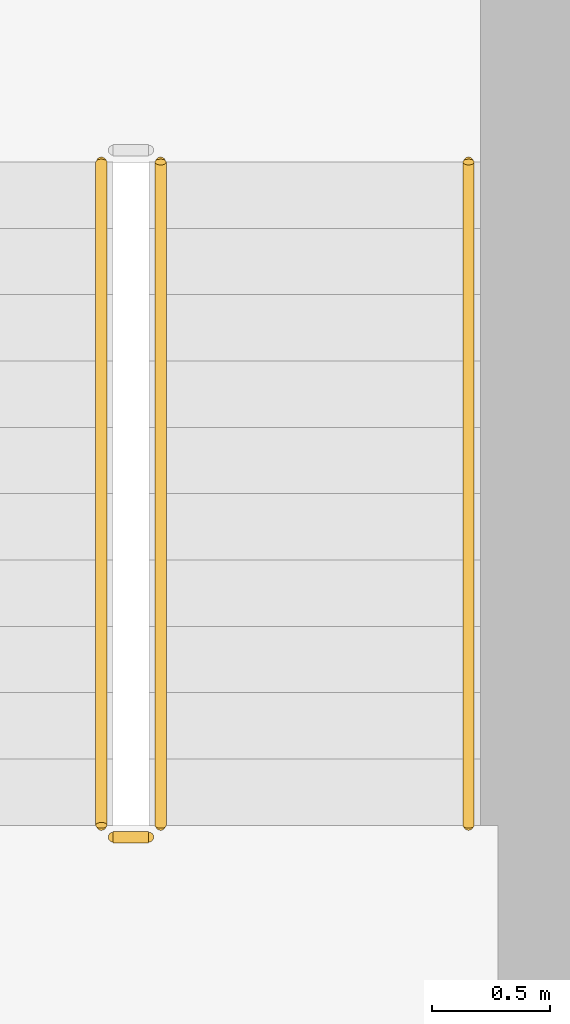
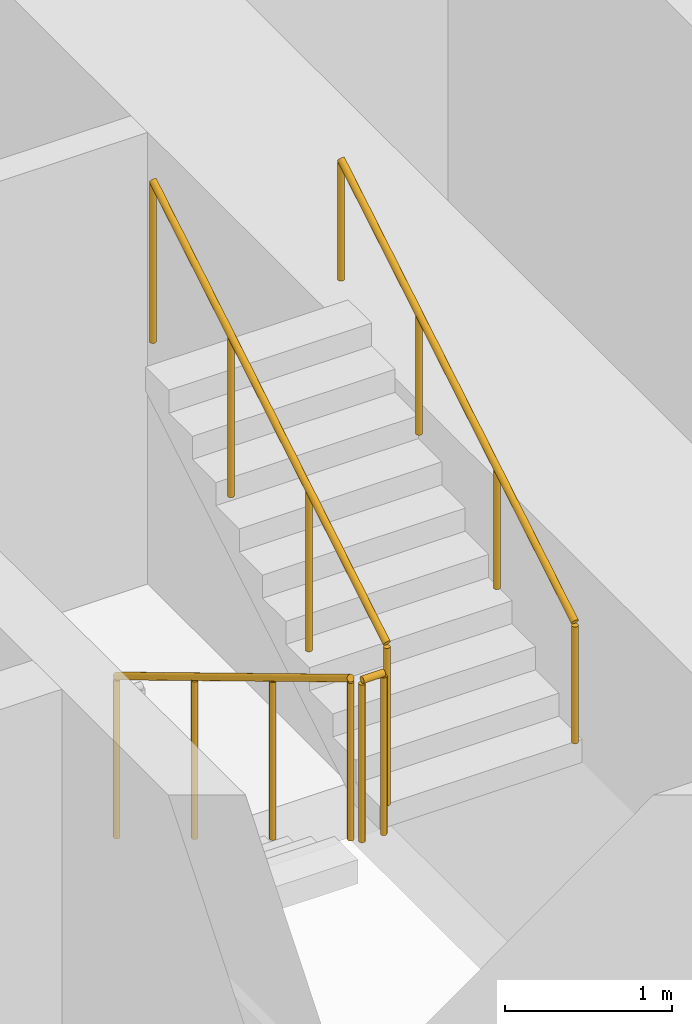
# One storey, part 22 of 26: 4 railings.
"""IFC4 building model written with IfcOpenShell, lengths in metres."""

from ifc_helpers import new_model, si_unit, direction, frame, origin, origin_2d, place, context, subcontext, project, spatial, circle, extrude, material, type_object, element, save


model = new_model("IFC4")

# Units and contexts
model_context = context("Model", 3, precision=1e-05, world=origin(), true_north=direction((0.0, 1.0)))
body_context = subcontext(model_context, "Body", "Model", "MODEL_VIEW")
ifc_project = project(units=[si_unit("LENGTHUNIT", "METRE"), si_unit("AREAUNIT", "SQUARE_METRE"), si_unit("VOLUMEUNIT", "CUBIC_METRE"), si_unit("PLANEANGLEUNIT", "RADIAN"), si_unit("MASSUNIT", "GRAM", prefix="KILO")], contexts=[model_context])

# Site, building, storey
site_placement = place(None, origin())
site = spatial("IfcSite", under=ifc_project, at=site_placement, CompositionType="ELEMENT")
building_placement = place(site_placement, origin())
building = spatial("IfcBuilding", under=site, at=building_placement, Name="Dongbaek Canopy Tower", CompositionType="ELEMENT")
storey_placement = place(building_placement, frame((0.0, 0.0, 73.60009765625)))
storey = spatial("IfcBuildingStorey", under=building, at=storey_placement, Name="L14", CompositionType="ELEMENT", Elevation=73.60009765625)

# Railings
ifc_material_1 = material(Name="Stainless steel tube and balusters", Category="steel")
railing_type_1 = type_object("IfcRailingType", Name="Stair guard 1200", PredefinedType="GUARDRAIL", material=ifc_material_1)
railing_1_placement = place(storey_placement, frame((11.199951171875, -4.699951171875, 0.16796875)))
element("IfcRailing", 1, at=railing_1_placement, inside=storey, type_object=railing_type_1, Name="L14 ST-B stair guard 1", PredefinedType="GUARDRAIL", context=body_context, shape_type="SweptSolid", body=[
    extrude(circle(Radius=0.02392578125, at=origin_2d()), frame((0.0, 0.0, 1.17578125), z_axis=(0.0, -0.857242210791, 0.514913383045), x_axis=(1.0, 0.0, 0.0)), (0.0, 0.0, 1.0), 3.266357421875),
    extrude(circle(Radius=0.02099609375, at=origin_2d()), origin(), (0.0, 0.0, 1.0), 1.15185546875),
    extrude(circle(Radius=0.02099609375, at=origin_2d()), frame((0.0, -0.933349609375, 0.560546875)), (0.0, 0.0, 1.0), 1.15185546875),
    extrude(circle(Radius=0.02099609375, at=origin_2d()), frame((0.0, -1.86669921875, 1.121337890625)), (0.0, 0.0, 1.0), 1.15185546875),
    extrude(circle(Radius=0.02099609375, at=origin_2d()), frame((0.0, -2.800048828125, 1.681884765625)), (0.0, 0.0, 1.0), 1.15185546875),
])
railing_2_placement = place(storey_placement, frame((11.25, -7.550048828125, 1.849853515625)))
element("IfcRailing", 2, at=railing_2_placement, inside=storey, type_object=railing_type_1, Name="L14 ST-B stair guard 2", PredefinedType="GUARDRAIL", context=body_context, shape_type="SweptSolid", body=[
    extrude(circle(Radius=0.02392578125, at=origin_2d()), frame((0.0, 0.0, 1.17578125), z_axis=(1.0, 0.0, 0.0), x_axis=(0.0, 1.0, 0.0)), (0.0, 0.0, 1.0), 0.14990234375),
    extrude(circle(Radius=0.02099609375, at=origin_2d()), origin(), (0.0, 0.0, 1.0), 1.15185546875),
    extrude(circle(Radius=0.02099609375, at=origin_2d()), frame((0.14990234375, 0.0, 0.0)), (0.0, 0.0, 1.0), 1.15185546875),
])
railing_3_placement = place(storey_placement, frame((11.449951171875, -7.5, 2.01806640625)))
element("IfcRailing", 3, at=railing_3_placement, inside=storey, type_object=railing_type_1, Name="L14 ST-B stair guard 3", PredefinedType="GUARDRAIL", context=body_context, shape_type="SweptSolid", body=[
    extrude(circle(Radius=0.02392578125, at=origin_2d()), frame((0.0, 0.0, 1.17578125), z_axis=(0.0, 0.857242210791, 0.514913383045), x_axis=(-1.0, 0.0, 0.0)), (0.0, 0.0, 1.0), 3.266357421875),
    extrude(circle(Radius=0.02099609375, at=origin_2d()), origin(), (0.0, 0.0, 1.0), 1.15185546875),
    extrude(circle(Radius=0.02099609375, at=origin_2d()), frame((0.0, 0.933349609375, 0.560546875)), (0.0, 0.0, 1.0), 1.15185546875),
    extrude(circle(Radius=0.02099609375, at=origin_2d()), frame((0.0, 1.86669921875, 1.121337890625)), (0.0, 0.0, 1.0), 1.15185546875),
    extrude(circle(Radius=0.02099609375, at=origin_2d()), frame((0.0, 2.800048828125, 1.681884765625)), (0.0, 0.0, 1.0), 1.15185546875),
])
ifc_material_2 = material(Name="Stainless steel tube", Category="steel")
railing_type_2 = type_object("IfcRailingType", Name="Stair handrail 900", PredefinedType="HANDRAIL", material=ifc_material_2)
railing_4_placement = place(storey_placement, frame((12.75, -7.5, 2.01806640625)))
element("IfcRailing", 4, at=railing_4_placement, inside=storey, type_object=railing_type_2, Name="L14 ST-B stair handrail 2", PredefinedType="HANDRAIL", context=body_context, shape_type="SweptSolid", body=[
    extrude(circle(Radius=0.02392578125, at=origin_2d()), frame((0.0, 0.0, 0.8759765625), z_axis=(0.0, 0.857242210791, 0.514913383045), x_axis=(-1.0, 0.0, 0.0)), (0.0, 0.0, 1.0), 3.266357421875),
    extrude(circle(Radius=0.02099609375, at=origin_2d()), origin(), (0.0, 0.0, 1.0), 0.851806640625),
    extrude(circle(Radius=0.02099609375, at=origin_2d()), frame((0.0, 0.933349609375, 0.560546875)), (0.0, 0.0, 1.0), 0.851806640625),
    extrude(circle(Radius=0.02099609375, at=origin_2d()), frame((0.0, 1.86669921875, 1.121337890625)), (0.0, 0.0, 1.0), 0.851806640625),
    extrude(circle(Radius=0.02099609375, at=origin_2d()), frame((0.0, 2.800048828125, 1.681884765625)), (0.0, 0.0, 1.0), 0.851806640625),
])

save(model, "model.ifc")
